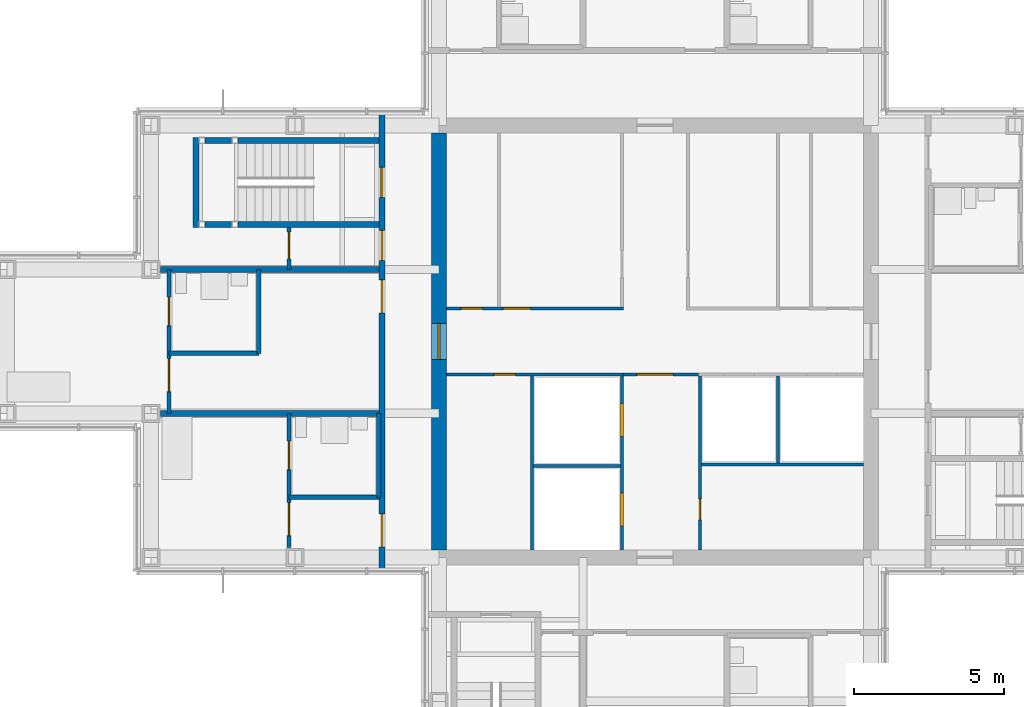
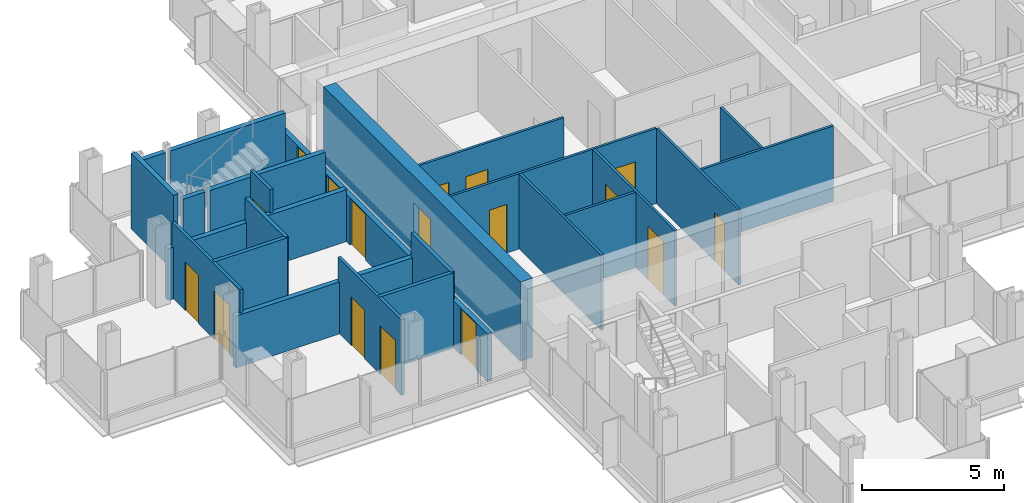
# One storey, part 12 of 17: 25 walls, 17 doors, 17 openings.
"""IFC4 building model written with IfcOpenShell, lengths in metres."""

from ifc_helpers import new_model, si_unit, direction, frame, frame_2d, origin, place, context, subcontext, project, spatial, rectangle, extrude, material, layer, layer_set, type_object, element, fill, save


model = new_model("IFC4")

# Units and contexts
model_context = context("Model", 3, precision=1e-05, world=origin(), true_north=direction((0.0, 1.0)))
body_context = subcontext(model_context, "Body", "Model", "MODEL_VIEW")
ifc_project = project(units=[si_unit("LENGTHUNIT", "METRE"), si_unit("AREAUNIT", "SQUARE_METRE"), si_unit("VOLUMEUNIT", "CUBIC_METRE"), si_unit("PLANEANGLEUNIT", "RADIAN"), si_unit("MASSUNIT", "GRAM", prefix="KILO")], contexts=[model_context])

# Site, building, storey
site_placement = place(None, origin())
site = spatial("IfcSite", under=ifc_project, at=site_placement, CompositionType="ELEMENT")
building_placement = place(site_placement, origin())
building = spatial("IfcBuilding", under=site, at=building_placement, Name="Kvirike Care Tower", CompositionType="ELEMENT")
storey_placement = place(building_placement, frame((0.0, 0.0, 186.5)))
storey = spatial("IfcBuildingStorey", under=building, at=storey_placement, Name="L51", CompositionType="ELEMENT", Elevation=186.5)

# Walls
ifc_material_1 = material(Name="Moisture-resistant board partition", Category="gypsum")
ifc_layer_1 = layer(ifc_material_1, 0.14990234375)
ifc_layer_set_1 = layer_set([ifc_layer_1], Name="BATHROOM WALL 150")
wall_type_1 = type_object("IfcWallType", Name="BATHROOM WALL 150", PredefinedType="PARTITIONING", material=ifc_layer_set_1)
wall_1_placement = place(storey_placement, frame((5.39990234375, 35.60009765625, 0.0), z_axis=(0.0, 0.0, 1.0), x_axis=(1.0, 0.0, 0.0)))
element("IfcWall", 1, at=wall_1_placement, inside=storey, type_object=wall_type_1, Name="Bathroom Wall 150 L51", PredefinedType="PARTITIONING", context=body_context, shape_type="SweptSolid", body=[
    extrude(rectangle(XDim=3.0, YDim=0.14990234375, at=frame_2d((1.5, 0.0))), origin(), (0.0, 0.0, 1.0), 3.25),
])
wall_2_placement = place(storey_placement, frame((8.39990234375, 38.39990234375, 0.0), z_axis=(0.0, 0.0, 1.0), x_axis=(0.0, -1.0, 0.0)))
element("IfcWall", 2, at=wall_2_placement, inside=storey, type_object=wall_type_1, Name="Bathroom Wall 150 L51", PredefinedType="PARTITIONING", context=body_context, shape_type="SweptSolid", body=[
    extrude(rectangle(XDim=2.7998046875, YDim=0.14990234375, at=frame_2d((1.39990234375, 0.0))), origin(), (0.0, 0.0, 1.0), 3.25),
])
wall_3_placement = place(storey_placement, frame((9.39990234375, 30.800048828125, 0.0), z_axis=(0.0, 0.0, 1.0), x_axis=(1.0, 0.0, 0.0)))
element("IfcWall", 3, at=wall_3_placement, inside=storey, type_object=wall_type_1, Name="Bathroom Wall 150 L51", PredefinedType="PARTITIONING", context=body_context, shape_type="SweptSolid", body=[
    extrude(rectangle(XDim=3.0, YDim=0.14990234375, at=frame_2d((1.5, 0.0))), origin(), (0.0, 0.0, 1.0), 3.25),
])
wall_4_placement = place(storey_placement, frame((12.39990234375, 33.60009765625, 0.0), z_axis=(0.0, 0.0, 1.0), x_axis=(0.0, -1.0, 0.0)))
element("IfcWall", 4, at=wall_4_placement, inside=storey, type_object=wall_type_1, Name="Bathroom Wall 150 L51", PredefinedType="PARTITIONING", context=body_context, shape_type="SweptSolid", body=[
    extrude(rectangle(XDim=2.800048828125, YDim=0.14990234375, at=frame_2d((1.39990234375, 0.0))), origin(), (0.0, 0.0, 1.0), 3.25),
])

# Wall, opening, door
ifc_material_2 = material(Name="Concrete C45/55", Category="concrete")
ifc_layer_2 = layer(ifc_material_2, 0.5)
ifc_layer_set_2 = layer_set([ifc_layer_2], Name="CORE WALL 500 C45-55")
wall_type_2 = type_object("IfcWallType", Name="CORE WALL 500 C45-55", PredefinedType="SHEAR", material=ifc_layer_set_2)
wall_5_placement = place(storey_placement, frame((14.39990234375, 42.949951171875, -0.169921875), z_axis=(0.0, 0.0, 1.0), x_axis=(0.0, -1.0, 0.0)))
wall_5 = element("IfcWall", 5, at=wall_5_placement, inside=storey, type_object=wall_type_2, Name="Core wall W L51", PredefinedType="SHEAR", context=body_context, shape_type="SweptSolid", body=[
    extrude(rectangle(XDim=13.89990234375, YDim=0.5, at=frame_2d((6.949951171875, 0.0))), origin(), (0.0, 0.0, 1.0), 3.419921875),
])
opening_1_placement = place(wall_5_placement, frame((6.35009765625, 0.0, 0.169921875)))
opening_1 = element("IfcOpeningElement", 6, at=opening_1_placement, cuts=wall_5, Name="Opening 51-051", PredefinedType="OPENING", context=body_context, shape_type="SweptSolid", body=[
    extrude(rectangle(XDim=1.199951171875, YDim=2.10009765625, at=frame_2d((0.60009765625, 1.050048828125))), frame((0.0, 0.260498046875, 0.0), z_axis=(0.0, -1.0, 0.0), x_axis=(1.0, 0.0, 0.0)), (0.0, 0.0, 1.0), 0.52099609375),
])
ifc_material_3 = material(Name="Timber door set", Category="wood")
door_type_1 = type_object("IfcDoorType", Name="CORE DOOR 1200", OperationType="SINGLE_SWING_LEFT", PredefinedType="DOOR", material=ifc_material_3)
door_1_placement = place(opening_1_placement, origin())
door_1 = element("IfcDoor", 7, at=door_1_placement, inside=storey, type_object=door_type_1, Name="Core door W L51", OperationType="SINGLE_SWING_LEFT", OverallHeight=2.10009765625, OverallWidth=1.199951171875, PredefinedType="DOOR", context=body_context, shape_type="SweptSolid", body=[
    extrude(rectangle(XDim=1.199951171875, YDim=2.10009765625, at=frame_2d((0.60009765625, 1.050048828125))), frame((0.0, 0.02685546875, 0.0), z_axis=(0.0, -1.0, 0.0), x_axis=(1.0, 0.0, 0.0)), (0.0, 0.0, 1.0), 0.053955078125),
])
fill(opening_1, door_1)

# Wall, openings, doors
ifc_material_4 = material(Name="Plasterboard corridor wall", Category="gypsum")
ifc_layer_3 = layer(ifc_material_4, 0.199951171875)
ifc_layer_set_3 = layer_set([ifc_layer_3], Name="CORRIDOR WALL 200")
wall_type_3 = type_object("IfcWallType", Name="CORRIDOR WALL 200", PredefinedType="PARTITIONING", material=ifc_layer_set_3)
wall_6_placement = place(storey_placement, frame((12.5, 43.64990234375, 0.0), z_axis=(0.0, 0.0, 1.0), x_axis=(0.0, -1.0, 0.0)))
wall_6 = element("IfcWall", 8, at=wall_6_placement, inside=storey, type_object=wall_type_3, Name="Corridor Wall 200 L51", PredefinedType="PARTITIONING", context=body_context, shape_type="SweptSolid", body=[
    extrude(rectangle(XDim=15.2998046875, YDim=0.199951171875, at=frame_2d((7.64990234375, 0.0))), origin(), (0.0, 0.0, 1.0), 2.0400390625),
])
opening_2_placement = place(wall_6_placement, frame((1.85009765625, 0.0, 0.0)))
opening_2 = element("IfcOpeningElement", 9, at=opening_2_placement, cuts=wall_6, Name="Opening 51-006", PredefinedType="OPENING", context=body_context, shape_type="SweptSolid", body=[
    extrude(rectangle(XDim=1.0, YDim=2.0, at=frame_2d((0.5, 1.0))), frame((0.0, 0.110595703125, 0.0), z_axis=(0.0, -1.0, 0.0), x_axis=(1.0, 0.0, 0.0)), (0.0, 0.0, 1.0), 0.220947265625),
])
opening_3_placement = place(wall_6_placement, frame((3.949951171875, 0.0, 0.0)))
opening_3 = element("IfcOpeningElement", 10, at=opening_3_placement, cuts=wall_6, Name="Opening 51-007", PredefinedType="OPENING", context=body_context, shape_type="SweptSolid", body=[
    extrude(rectangle(XDim=1.0, YDim=2.0, at=frame_2d((0.5, 1.0))), frame((0.0, 0.110595703125, 0.0), z_axis=(0.0, -1.0, 0.0), x_axis=(1.0, 0.0, 0.0)), (0.0, 0.0, 1.0), 0.220947265625),
])
opening_4_placement = place(wall_6_placement, frame((5.60009765625, 0.0, 0.0)))
opening_4 = element("IfcOpeningElement", 11, at=opening_4_placement, cuts=wall_6, Name="Opening 51-008", PredefinedType="OPENING", context=body_context, shape_type="SweptSolid", body=[
    extrude(rectangle(XDim=1.10009765625, YDim=2.0, at=frame_2d((0.550048828125, 1.0))), frame((0.0, 0.110595703125, 0.0), z_axis=(0.0, -1.0, 0.0), x_axis=(1.0, 0.0, 0.0)), (0.0, 0.0, 1.0), 0.220947265625),
])
opening_5_placement = place(wall_6_placement, frame((13.39990234375, 0.0, 0.0)))
opening_5 = element("IfcOpeningElement", 12, at=opening_5_placement, cuts=wall_6, Name="Opening 51-009", PredefinedType="OPENING", context=body_context, shape_type="SweptSolid", body=[
    extrude(rectangle(XDim=1.10009765625, YDim=2.0, at=frame_2d((0.550048828125, 1.0))), frame((0.0, 0.110595703125, 0.0), z_axis=(0.0, -1.0, 0.0), x_axis=(1.0, 0.0, 0.0)), (0.0, 0.0, 1.0), 0.220947265625),
])
ifc_material_5 = material(Name="Timber door set", Category="wood")
door_type_2 = type_object("IfcDoorType", Name="BEDROOM ENTRANCE DOOR 1100 x 2000", OperationType="SINGLE_SWING_LEFT", PredefinedType="DOOR", material=ifc_material_5)
door_2_placement = place(opening_4_placement, frame((1.10009765625, 0.0, 0.0), z_axis=(0.0, 0.0, 1.0), x_axis=(-1.0, 0.0, 0.0)))
door_2 = element("IfcDoor", 13, at=door_2_placement, inside=storey, type_object=door_type_2, Name="Memory care bedroom entrance", OperationType="SINGLE_SWING_LEFT", OverallHeight=2.0, OverallWidth=1.10009765625, PredefinedType="DOOR", context=body_context, shape_type="SweptSolid", body=[
    extrude(rectangle(XDim=1.10009765625, YDim=2.0, at=frame_2d((0.550048828125, 1.0))), frame((0.0, 0.02685546875, 0.0), z_axis=(0.0, -1.0, 0.0), x_axis=(1.0, 0.0, 0.0)), (0.0, 0.0, 1.0), 0.053955078125),
])
fill(opening_4, door_2)
door_3_placement = place(opening_5_placement, frame((1.10009765625, 0.0, 0.0), z_axis=(0.0, 0.0, 1.0), x_axis=(-1.0, 0.0, 0.0)))
door_3 = element("IfcDoor", 14, at=door_3_placement, inside=storey, type_object=door_type_2, Name="Memory care bedroom entrance", OperationType="SINGLE_SWING_RIGHT", OverallHeight=2.0, OverallWidth=1.10009765625, PredefinedType="DOOR", context=body_context, shape_type="SweptSolid", body=[
    extrude(rectangle(XDim=1.10009765625, YDim=2.0, at=frame_2d((0.550048828125, 1.0))), frame((0.0, 0.02685546875, 0.0), z_axis=(0.0, -1.0, 0.0), x_axis=(1.0, 0.0, 0.0)), (0.0, 0.0, 1.0), 0.053955078125),
])
fill(opening_5, door_3)
ifc_material_6 = material(Name="Timber door set", Category="wood")
door_type_3 = type_object("IfcDoorType", Name="FLAT ENTRANCE DOOR 1000 x 2000", OperationType="SINGLE_SWING_LEFT", PredefinedType="DOOR", material=ifc_material_6)
door_4_placement = place(opening_3_placement, frame((1.0, 0.0, 0.0), z_axis=(0.0, 0.0, 1.0), x_axis=(-1.0, 0.0, 0.0)))
door_4 = element("IfcDoor", 15, at=door_4_placement, inside=storey, type_object=door_type_3, Name="Activity room entrance", OperationType="SINGLE_SWING_LEFT", OverallHeight=2.0, OverallWidth=1.0, PredefinedType="DOOR", context=body_context, shape_type="SweptSolid", body=[
    extrude(rectangle(XDim=1.0, YDim=2.0, at=frame_2d((0.5, 1.0))), frame((0.0, 0.02685546875, 0.0), z_axis=(0.0, -1.0, 0.0), x_axis=(1.0, 0.0, 0.0)), (0.0, 0.0, 1.0), 0.053955078125),
])
fill(opening_3, door_4)
ifc_material_7 = material(Name="Timber door set", Category="wood")
door_type_4 = type_object("IfcDoorType", Name="STAIR DOOR 1000 x 2000", OperationType="SINGLE_SWING_LEFT", PredefinedType="DOOR", material=ifc_material_7)
door_5_placement = place(opening_2_placement, frame((1.0, 0.0, 0.0), z_axis=(0.0, 0.0, 1.0), x_axis=(-1.0, 0.0, 0.0)))
door_5 = element("IfcDoor", 16, at=door_5_placement, inside=storey, type_object=door_type_4, Name="Stair 1 door", OperationType="SINGLE_SWING_LEFT", OverallHeight=2.0, OverallWidth=1.0, PredefinedType="DOOR", context=body_context, shape_type="SweptSolid", body=[
    extrude(rectangle(XDim=1.0, YDim=2.0, at=frame_2d((0.5, 1.0))), frame((0.0, 0.031982421875, 0.0), z_axis=(0.0, -1.0, 0.0), x_axis=(1.0, 0.0, 0.0)), (0.0, 0.0, 1.0), 0.06396484375),
])
fill(opening_2, door_5)

# Wall, opening, door
ifc_material_8 = material(Name="Plasterboard partition", Category="gypsum")
ifc_layer_4 = layer(ifc_material_8, 0.1201171875)
ifc_layer_set_4 = layer_set([ifc_layer_4], Name="PARTITION 120")
wall_type_4 = type_object("IfcWallType", Name="PARTITION 120", PredefinedType="PARTITIONING", material=ifc_layer_set_4)
wall_7_placement = place(storey_placement, frame((9.39990234375, 39.800048828125, 0.0), z_axis=(0.0, 0.0, 1.0), x_axis=(0.0, -1.0, 0.0)))
wall_7 = element("IfcWall", 17, at=wall_7_placement, inside=storey, type_object=wall_type_4, Name="Partition 120 L51", PredefinedType="PARTITIONING", context=body_context, shape_type="SweptSolid", body=[
    extrude(rectangle(XDim=1.400146484375, YDim=0.1201171875, at=frame_2d((0.7001953125, 0.0))), origin(), (0.0, 0.0, 1.0), 3.25),
])
opening_6_placement = place(wall_7_placement, frame((0.14990234375, 0.0, 0.0)))
opening_6 = element("IfcOpeningElement", 18, at=opening_6_placement, cuts=wall_7, Name="Opening 51-001", PredefinedType="OPENING", context=body_context, shape_type="SweptSolid", body=[
    extrude(rectangle(XDim=0.89990234375, YDim=2.10009765625, at=frame_2d((0.449951171875, 1.050048828125))), frame((0.0, 0.070556640625, 0.0), z_axis=(0.0, -1.0, 0.0), x_axis=(1.0, 0.0, 0.0)), (0.0, 0.0, 1.0), 0.14111328125),
])
ifc_material_9 = material(Name="Timber door set", Category="wood")
door_type_5 = type_object("IfcDoorType", Name="INTERNAL DOOR 900", OperationType="SINGLE_SWING_LEFT", PredefinedType="DOOR", material=ifc_material_9)
door_6_placement = place(opening_6_placement, origin())
door_6 = element("IfcDoor", 19, at=door_6_placement, inside=storey, type_object=door_type_5, Name="Activity room door", OperationType="SINGLE_SWING_RIGHT", OverallHeight=2.10009765625, OverallWidth=0.89990234375, PredefinedType="DOOR", context=body_context, shape_type="SweptSolid", body=[
    extrude(rectangle(XDim=0.89990234375, YDim=2.10009765625, at=frame_2d((0.449951171875, 1.050048828125))), frame((0.0, 0.02197265625, 0.0), z_axis=(0.0, -1.0, 0.0), x_axis=(1.0, 0.0, 0.0)), (0.0, 0.0, 1.0), 0.0439453125),
])
fill(opening_6, door_6)

# Wall, openings, doors
wall_8_placement = place(storey_placement, frame((5.39990234375, 38.39990234375, 0.0), z_axis=(0.0, 0.0, 1.0), x_axis=(0.0, -1.0, 0.0)))
wall_8 = element("IfcWall", 20, at=wall_8_placement, inside=storey, type_object=wall_type_4, Name="Partition 120 L51", PredefinedType="PARTITIONING", context=body_context, shape_type="SweptSolid", body=[
    extrude(rectangle(XDim=4.7998046875, YDim=0.1201171875, at=frame_2d((2.39990234375, 0.0))), origin(), (0.0, 0.0, 1.0), 3.25),
])
opening_7_placement = place(wall_8_placement, frame((2.97509765625, 0.0, 0.0)))
opening_7 = element("IfcOpeningElement", 21, at=opening_7_placement, cuts=wall_8, Name="Opening 51-002", PredefinedType="OPENING", context=body_context, shape_type="SweptSolid", body=[
    extrude(rectangle(XDim=1.10009765625, YDim=2.10009765625, at=frame_2d((0.550048828125, 1.050048828125))), frame((0.0, 0.070556640625, 0.0), z_axis=(0.0, -1.0, 0.0), x_axis=(1.0, 0.0, 0.0)), (0.0, 0.0, 1.0), 0.14111328125),
])
opening_8_placement = place(wall_8_placement, frame((0.925048828125, 0.0, 0.0)))
opening_8 = element("IfcOpeningElement", 22, at=opening_8_placement, cuts=wall_8, Name="Opening 51-003", PredefinedType="OPENING", context=body_context, shape_type="SweptSolid", body=[
    extrude(rectangle(XDim=0.949951171875, YDim=2.10009765625, at=frame_2d((0.47509765625, 1.050048828125))), frame((0.0, 0.070556640625, 0.0), z_axis=(0.0, -1.0, 0.0), x_axis=(1.0, 0.0, 0.0)), (0.0, 0.0, 1.0), 0.14111328125),
])
ifc_material_10 = material(Name="Timber door set", Category="wood")
door_type_6 = type_object("IfcDoorType", Name="BEDROOM DOOR 1100", OperationType="SINGLE_SWING_LEFT", PredefinedType="DOOR", material=ifc_material_10)
door_7_placement = place(opening_7_placement, origin())
door_7 = element("IfcDoor", 23, at=door_7_placement, inside=storey, type_object=door_type_6, Name="Memory care bedroom door", OperationType="SINGLE_SWING_RIGHT", OverallHeight=2.10009765625, OverallWidth=1.10009765625, PredefinedType="DOOR", context=body_context, shape_type="SweptSolid", body=[
    extrude(rectangle(XDim=1.10009765625, YDim=2.10009765625, at=frame_2d((0.550048828125, 1.050048828125))), frame((0.0, 0.02197265625, 0.0), z_axis=(0.0, -1.0, 0.0), x_axis=(1.0, 0.0, 0.0)), (0.0, 0.0, 1.0), 0.0439453125),
])
fill(opening_7, door_7)
ifc_material_11 = material(Name="Timber door set", Category="wood")
door_type_7 = type_object("IfcDoorType", Name="EN-SUITE SLIDING DOOR 950", OperationType="SLIDING_TO_LEFT", PredefinedType="DOOR", material=ifc_material_11)
door_8_placement = place(opening_8_placement, origin())
door_8 = element("IfcDoor", 24, at=door_8_placement, inside=storey, type_object=door_type_7, Name="En-suite door", OperationType="SLIDING_TO_RIGHT", OverallHeight=2.10009765625, OverallWidth=0.949951171875, PredefinedType="DOOR", context=body_context, shape_type="SweptSolid", body=[
    extrude(rectangle(XDim=0.949951171875, YDim=2.10009765625, at=frame_2d((0.47509765625, 1.050048828125))), frame((0.0, 0.02197265625, 0.0), z_axis=(0.0, -1.0, 0.0), x_axis=(1.0, 0.0, 0.0)), (0.0, 0.0, 1.0), 0.0439453125),
])
fill(opening_8, door_8)

wall_9_placement = place(storey_placement, frame((9.39990234375, 33.60009765625, 0.0), z_axis=(0.0, 0.0, 1.0), x_axis=(0.0, -1.0, 0.0)))
wall_9 = element("IfcWall", 25, at=wall_9_placement, inside=storey, type_object=wall_type_4, Name="Partition 120 L51", PredefinedType="PARTITIONING", context=body_context, shape_type="SweptSolid", body=[
    extrude(rectangle(XDim=4.47998046875, YDim=0.1201171875, at=frame_2d((2.239990234375, 0.0))), origin(), (0.0, 0.0, 1.0), 3.25),
])
opening_9_placement = place(wall_9_placement, frame((2.97509765625, 0.0, 0.0)))
opening_9 = element("IfcOpeningElement", 26, at=opening_9_placement, cuts=wall_9, Name="Opening 51-004", PredefinedType="OPENING", context=body_context, shape_type="SweptSolid", body=[
    extrude(rectangle(XDim=1.10009765625, YDim=2.10009765625, at=frame_2d((0.550048828125, 1.050048828125))), frame((0.0, 0.070556640625, 0.0), z_axis=(0.0, -1.0, 0.0), x_axis=(1.0, 0.0, 0.0)), (0.0, 0.0, 1.0), 0.14111328125),
])
opening_10_placement = place(wall_9_placement, frame((0.925048828125, 0.0, 0.0)))
opening_10 = element("IfcOpeningElement", 27, at=opening_10_placement, cuts=wall_9, Name="Opening 51-005", PredefinedType="OPENING", context=body_context, shape_type="SweptSolid", body=[
    extrude(rectangle(XDim=0.949951171875, YDim=2.10009765625, at=frame_2d((0.47509765625, 1.050048828125))), frame((0.0, 0.070556640625, 0.0), z_axis=(0.0, -1.0, 0.0), x_axis=(1.0, 0.0, 0.0)), (0.0, 0.0, 1.0), 0.14111328125),
])
door_9_placement = place(opening_9_placement, origin())
door_9 = element("IfcDoor", 28, at=door_9_placement, inside=storey, type_object=door_type_6, Name="Memory care bedroom door", OperationType="SINGLE_SWING_RIGHT", OverallHeight=2.10009765625, OverallWidth=1.10009765625, PredefinedType="DOOR", context=body_context, shape_type="SweptSolid", body=[
    extrude(rectangle(XDim=1.10009765625, YDim=2.10009765625, at=frame_2d((0.550048828125, 1.050048828125))), frame((0.0, 0.02197265625, 0.0), z_axis=(0.0, -1.0, 0.0), x_axis=(1.0, 0.0, 0.0)), (0.0, 0.0, 1.0), 0.0439453125),
])
fill(opening_9, door_9)
door_10_placement = place(opening_10_placement, origin())
door_10 = element("IfcDoor", 29, at=door_10_placement, inside=storey, type_object=door_type_7, Name="En-suite door", OperationType="SLIDING_TO_RIGHT", OverallHeight=2.10009765625, OverallWidth=0.949951171875, PredefinedType="DOOR", context=body_context, shape_type="SweptSolid", body=[
    extrude(rectangle(XDim=0.949951171875, YDim=2.10009765625, at=frame_2d((0.47509765625, 1.050048828125))), frame((0.0, 0.02197265625, 0.0), z_axis=(0.0, -1.0, 0.0), x_axis=(1.0, 0.0, 0.0)), (0.0, 0.0, 1.0), 0.0439453125),
])
fill(opening_10, door_10)

# Walls
ifc_material_12 = material(Name="Plasterboard party wall", Category="gypsum")
ifc_layer_5 = layer(ifc_material_12, 0.199951171875)
ifc_layer_set_5 = layer_set([ifc_layer_5], Name="PARTY WALL 200")
wall_type_5 = type_object("IfcWallType", Name="PARTY WALL 200", PredefinedType="PARTITIONING", material=ifc_layer_set_5)
for number, where, z_axis, x_axis, name in (
    (30, (5.1201171875, 38.39990234375, 0.0), (0.0, 0.0, 1.0), (1.0, 0.0, 0.0), "Party Wall 200 L51"),
    (31, (5.1201171875, 33.60009765625, 0.0), (0.0, 0.0, 1.0), (1.0, 0.0, 0.0), "Party Wall 200 L51"),
):
    element("IfcWall", number, at=place(storey_placement, frame(where, z_axis=z_axis, x_axis=x_axis)), inside=storey, type_object=wall_type_5, Name=name, PredefinedType="PARTITIONING", context=body_context, shape_type="SweptSolid", body=[
        extrude(rectangle(XDim=7.27978515625, YDim=0.199951171875, at=frame_2d((3.639892578125, 0.0))), origin(), (0.0, 0.0, 1.0), 2.239990234375),
    ])

# Wall, openings, doors
ifc_material_13 = material(Name="Gypsum shaft wall system", Category="gypsum")
ifc_layer_6 = layer(ifc_material_13, 0.10009765625)
ifc_layer_set_6 = layer_set([ifc_layer_6], Name="SHAFT WALL 100")
wall_type_6 = type_object("IfcWallType", Name="SHAFT WALL 100", PredefinedType="SOLIDWALL", material=ifc_layer_set_6)
wall_10_placement = place(storey_placement, frame((20.5, 29.050048828125, 0.0), z_axis=(0.0, 0.0, 1.0), x_axis=(0.0, 1.0, 0.0)))
wall_10 = element("IfcWall", 32, at=wall_10_placement, inside=storey, type_object=wall_type_6, Name="Shaft Wall 100 L51", PredefinedType="SOLIDWALL", context=body_context, shape_type="SweptSolid", body=[
    extrude(rectangle(XDim=5.800048828125, YDim=0.10009765625, at=frame_2d((2.89990234375, 0.0))), origin(), (0.0, 0.0, 1.0), 3.25),
])
opening_11_placement = place(wall_10_placement, frame((0.800048828125, 0.0, 0.0)))
opening_11 = element("IfcOpeningElement", 33, at=opening_11_placement, cuts=wall_10, Name="Opening 51-037", PredefinedType="OPENING", context=body_context, shape_type="SweptSolid", body=[
    extrude(rectangle(XDim=1.10009765625, YDim=2.300048828125, at=frame_2d((0.550048828125, 1.14990234375))), frame((0.0, 0.060546875, 0.0), z_axis=(0.0, -1.0, 0.0), x_axis=(1.0, 0.0, 0.0)), (0.0, 0.0, 1.0), 0.12109375),
])
opening_12_placement = place(wall_10_placement, frame((3.77490234375, 0.0, 0.0)))
opening_12 = element("IfcOpeningElement", 34, at=opening_12_placement, cuts=wall_10, Name="Opening 51-038", PredefinedType="OPENING", context=body_context, shape_type="SweptSolid", body=[
    extrude(rectangle(XDim=1.10009765625, YDim=2.300048828125, at=frame_2d((0.550048828125, 1.14990234375))), frame((0.0, 0.060546875, 0.0), z_axis=(0.0, -1.0, 0.0), x_axis=(1.0, 0.0, 0.0)), (0.0, 0.0, 1.0), 0.12109375),
])
ifc_material_14 = material(Name="Aluminium door frame", Category="aluminium")
door_type_8 = type_object("IfcDoorType", Name="FIRE-FIGHTING LIFT LANDING DOOR 1100", OperationType="SLIDING_TO_LEFT", PredefinedType="DOOR", material=ifc_material_14)
door_11_placement = place(opening_11_placement, origin())
door_11 = element("IfcDoor", 35, at=door_11_placement, inside=storey, type_object=door_type_8, Name="Lift FF1 landing door", OperationType="SLIDING_TO_LEFT", OverallHeight=2.300048828125, OverallWidth=1.10009765625, PredefinedType="DOOR", context=body_context, shape_type="SweptSolid", body=[
    extrude(rectangle(XDim=1.10009765625, YDim=2.300048828125, at=frame_2d((0.550048828125, 1.14990234375))), frame((0.0, 0.0498046875, 0.0), z_axis=(0.0, -1.0, 0.0), x_axis=(1.0, 0.0, 0.0)), (0.0, 0.0, 1.0), 0.099609375),
])
fill(opening_11, door_11)
door_12_placement = place(opening_12_placement, origin())
door_12 = element("IfcDoor", 36, at=door_12_placement, inside=storey, type_object=door_type_8, Name="Lift FF2 landing door", OperationType="SLIDING_TO_LEFT", OverallHeight=2.300048828125, OverallWidth=1.10009765625, PredefinedType="DOOR", context=body_context, shape_type="SweptSolid", body=[
    extrude(rectangle(XDim=1.10009765625, YDim=2.300048828125, at=frame_2d((0.550048828125, 1.14990234375))), frame((0.0, 0.0498046875, 0.0), z_axis=(0.0, -1.0, 0.0), x_axis=(1.0, 0.0, 0.0)), (0.0, 0.0, 1.0), 0.099609375),
])
fill(opening_12, door_12)

# Wall, opening, door
wall_11_placement = place(storey_placement, frame((23.10009765625, 29.050048828125, 0.0), z_axis=(0.0, 0.0, 1.0), x_axis=(0.0, 1.0, 0.0)))
wall_11 = element("IfcWall", 37, at=wall_11_placement, inside=storey, type_object=wall_type_6, Name="Shaft Wall 100 L51", PredefinedType="SOLIDWALL", context=body_context, shape_type="SweptSolid", body=[
    extrude(rectangle(XDim=5.800048828125, YDim=0.10009765625, at=frame_2d((2.89990234375, 0.0))), origin(), (0.0, 0.0, 1.0), 3.25),
])
opening_13_placement = place(wall_11_placement, frame((1.0, 0.0, 0.0)))
opening_13 = element("IfcOpeningElement", 38, at=opening_13_placement, cuts=wall_11, Name="Opening 51-041", PredefinedType="OPENING", context=body_context, shape_type="SweptSolid", body=[
    extrude(rectangle(XDim=0.699951171875, YDim=2.10009765625, at=frame_2d((0.35009765625, 1.050048828125))), frame((0.0, 0.060546875, 0.0), z_axis=(0.0, -1.0, 0.0), x_axis=(1.0, 0.0, 0.0)), (0.0, 0.0, 1.0), 0.12109375),
])
ifc_material_15 = material(Name="Timber door set", Category="wood")
door_type_9 = type_object("IfcDoorType", Name="RISER DOOR 700", OperationType="SINGLE_SWING_LEFT", PredefinedType="DOOR", material=ifc_material_15)
door_13_placement = place(opening_13_placement, origin())
door_13 = element("IfcDoor", 39, at=door_13_placement, inside=storey, type_object=door_type_9, Name="Riser door", OperationType="SINGLE_SWING_RIGHT", OverallHeight=2.10009765625, OverallWidth=0.699951171875, PredefinedType="DOOR", context=body_context, shape_type="SweptSolid", body=[
    extrude(rectangle(XDim=0.699951171875, YDim=2.10009765625, at=frame_2d((0.35009765625, 1.050048828125))), frame((0.0, 0.02685546875, 0.0), z_axis=(0.0, -1.0, 0.0), x_axis=(1.0, 0.0, 0.0)), (0.0, 0.0, 1.0), 0.053955078125),
])
fill(opening_13, door_13)

wall_12_placement = place(storey_placement, frame((14.64990234375, 34.89990234375, 0.0), z_axis=(0.0, 0.0, 1.0), x_axis=(1.0, 0.0, 0.0)))
wall_12 = element("IfcWall", 40, at=wall_12_placement, inside=storey, type_object=wall_type_6, Name="Shaft Wall 100 L51", PredefinedType="SOLIDWALL", context=body_context, shape_type="SweptSolid", body=[
    extrude(rectangle(XDim=5.900146484375, YDim=0.10009765625, at=frame_2d((2.9501953125, 0.0))), origin(), (0.0, 0.0, 1.0), 3.25),
])
opening_14_placement = place(wall_12_placement, frame((1.60009765625, 0.0, 0.0)))
opening_14 = element("IfcOpeningElement", 41, at=opening_14_placement, cuts=wall_12, Name="Opening 51-042", PredefinedType="OPENING", context=body_context, shape_type="SweptSolid", body=[
    extrude(rectangle(XDim=0.699951171875, YDim=2.10009765625, at=frame_2d((0.35009765625, 1.050048828125))), frame((0.0, 0.060546875, 0.0), z_axis=(0.0, -1.0, 0.0), x_axis=(1.0, 0.0, 0.0)), (0.0, 0.0, 1.0), 0.12109375),
])
door_14_placement = place(opening_14_placement, frame((0.699951171875, 0.0, 0.0), z_axis=(0.0, 0.0, 1.0), x_axis=(-1.0, 0.0, 0.0)))
door_14 = element("IfcDoor", 42, at=door_14_placement, inside=storey, type_object=door_type_9, Name="Riser door", OperationType="SINGLE_SWING_RIGHT", OverallHeight=2.10009765625, OverallWidth=0.699951171875, PredefinedType="DOOR", context=body_context, shape_type="SweptSolid", body=[
    extrude(rectangle(XDim=0.699951171875, YDim=2.10009765625, at=frame_2d((0.35009765625, 1.050048828125))), frame((0.0, 0.02685546875, 0.0), z_axis=(0.0, -1.0, 0.0), x_axis=(1.0, 0.0, 0.0)), (0.0, 0.0, 1.0), 0.053955078125),
])
fill(opening_14, door_14)

# Wall, openings, doors
wall_13_placement = place(storey_placement, frame((14.64990234375, 37.10009765625, 0.0), z_axis=(0.0, 0.0, 1.0), x_axis=(1.0, 0.0, 0.0)))
wall_13 = element("IfcWall", 43, at=wall_13_placement, inside=storey, type_object=wall_type_6, Name="Shaft Wall 100 L51", PredefinedType="SOLIDWALL", context=body_context, shape_type="SweptSolid", body=[
    extrude(rectangle(XDim=5.900146484375, YDim=0.10009765625, at=frame_2d((2.9501953125, 0.0))), origin(), (0.0, 0.0, 1.0), 3.25),
])
opening_15_placement = place(wall_13_placement, frame((0.5, 0.0, 0.0)))
opening_15 = element("IfcOpeningElement", 44, at=opening_15_placement, cuts=wall_13, Name="Opening 51-045", PredefinedType="OPENING", context=body_context, shape_type="SweptSolid", body=[
    extrude(rectangle(XDim=0.699951171875, YDim=2.10009765625, at=frame_2d((0.35009765625, 1.050048828125))), frame((0.0, 0.060546875, 0.0), z_axis=(0.0, -1.0, 0.0), x_axis=(1.0, 0.0, 0.0)), (0.0, 0.0, 1.0), 0.12109375),
])
opening_16_placement = place(wall_13_placement, frame((1.89990234375, 0.0, 0.0)))
opening_16 = element("IfcOpeningElement", 45, at=opening_16_placement, cuts=wall_13, Name="Opening 51-046", PredefinedType="OPENING", context=body_context, shape_type="SweptSolid", body=[
    extrude(rectangle(XDim=0.89990234375, YDim=2.10009765625, at=frame_2d((0.449951171875, 1.050048828125))), frame((0.0, 0.060546875, 0.0), z_axis=(0.0, -1.0, 0.0), x_axis=(1.0, 0.0, 0.0)), (0.0, 0.0, 1.0), 0.12109375),
])
door_15_placement = place(opening_15_placement, origin())
door_15 = element("IfcDoor", 46, at=door_15_placement, inside=storey, type_object=door_type_9, Name="Riser door", OperationType="SINGLE_SWING_RIGHT", OverallHeight=2.10009765625, OverallWidth=0.699951171875, PredefinedType="DOOR", context=body_context, shape_type="SweptSolid", body=[
    extrude(rectangle(XDim=0.699951171875, YDim=2.10009765625, at=frame_2d((0.35009765625, 1.050048828125))), frame((0.0, 0.02685546875, 0.0), z_axis=(0.0, -1.0, 0.0), x_axis=(1.0, 0.0, 0.0)), (0.0, 0.0, 1.0), 0.053955078125),
])
fill(opening_15, door_15)
ifc_material_16 = material(Name="Timber door set", Category="wood")
door_type_10 = type_object("IfcDoorType", Name="STORE DOOR 900", OperationType="SINGLE_SWING_LEFT", PredefinedType="DOOR", material=ifc_material_16)
door_16_placement = place(opening_16_placement, origin())
door_16 = element("IfcDoor", 47, at=door_16_placement, inside=storey, type_object=door_type_10, Name="Housekeeping office door", OperationType="SINGLE_SWING_RIGHT", OverallHeight=2.10009765625, OverallWidth=0.89990234375, PredefinedType="DOOR", context=body_context, shape_type="SweptSolid", body=[
    extrude(rectangle(XDim=0.89990234375, YDim=2.10009765625, at=frame_2d((0.449951171875, 1.050048828125))), frame((0.0, 0.02685546875, 0.0), z_axis=(0.0, -1.0, 0.0), x_axis=(1.0, 0.0, 0.0)), (0.0, 0.0, 1.0), 0.053955078125),
])
fill(opening_16, door_16)

# Wall, opening, door
wall_14_placement = place(storey_placement, frame((20.550048828125, 34.89990234375, 0.0), z_axis=(0.0, 0.0, 1.0), x_axis=(1.0, 0.0, 0.0)))
wall_14 = element("IfcWall", 48, at=wall_14_placement, inside=storey, type_object=wall_type_6, Name="Shaft Wall 100 L51", PredefinedType="SOLIDWALL", context=body_context, shape_type="SweptSolid", body=[
    extrude(rectangle(XDim=2.5, YDim=0.10009765625, at=frame_2d((1.25, 0.0))), origin(), (0.0, 0.0, 1.0), 3.25),
])
opening_17_placement = place(wall_14_placement, frame((0.449951171875, 0.0, 0.0)))
opening_17 = element("IfcOpeningElement", 49, at=opening_17_placement, cuts=wall_14, Name="Opening 51-049", PredefinedType="OPENING", context=body_context, shape_type="SweptSolid", body=[
    extrude(rectangle(XDim=1.199951171875, YDim=2.10009765625, at=frame_2d((0.60009765625, 1.050048828125))), frame((0.0, 0.060546875, 0.0), z_axis=(0.0, -1.0, 0.0), x_axis=(1.0, 0.0, 0.0)), (0.0, 0.0, 1.0), 0.12109375),
])
door_17_placement = place(opening_17_placement, frame((1.199951171875, 0.0, 0.0), z_axis=(0.0, 0.0, 1.0), x_axis=(-1.0, 0.0, 0.0)))
door_17 = element("IfcDoor", 50, at=door_17_placement, inside=storey, type_object=door_type_1, Name="Fire-fighting lobby door", OperationType="SINGLE_SWING_LEFT", OverallHeight=2.10009765625, OverallWidth=1.199951171875, PredefinedType="DOOR", context=body_context, shape_type="SweptSolid", body=[
    extrude(rectangle(XDim=1.199951171875, YDim=2.10009765625, at=frame_2d((0.60009765625, 1.050048828125))), frame((0.0, 0.02685546875, 0.0), z_axis=(0.0, -1.0, 0.0), x_axis=(1.0, 0.0, 0.0)), (0.0, 0.0, 1.0), 0.053955078125),
])
fill(opening_17, door_17)

# Walls
wall_15_placement = place(storey_placement, frame((17.5, 29.050048828125, 0.0), z_axis=(0.0, 0.0, 1.0), x_axis=(0.0, 1.0, 0.0)))
element("IfcWall", 51, at=wall_15_placement, inside=storey, type_object=wall_type_6, Name="Shaft Wall 100 L51", PredefinedType="SOLIDWALL", context=body_context, shape_type="SweptSolid", body=[
    extrude(rectangle(XDim=5.800048828125, YDim=0.10009765625, at=frame_2d((2.89990234375, 0.0))), origin(), (0.0, 0.0, 1.0), 3.25),
])
wall_16_placement = place(storey_placement, frame((17.550048828125, 31.85009765625, 0.0), z_axis=(0.0, 0.0, 1.0), x_axis=(1.0, 0.0, 0.0)))
element("IfcWall", 52, at=wall_16_placement, inside=storey, type_object=wall_type_6, Name="Shaft Wall 100 L51", PredefinedType="SOLIDWALL", context=body_context, shape_type="SweptSolid", body=[
    extrude(rectangle(XDim=2.89990234375, YDim=0.10009765625, at=frame_2d((1.449951171875, 0.0))), origin(), (0.0, 0.0, 1.0), 3.25),
])
wall_17_placement = place(storey_placement, frame((25.699951171875, 31.949951171875, 0.0), z_axis=(0.0, 0.0, 1.0), x_axis=(0.0, 1.0, 0.0)))
element("IfcWall", 53, at=wall_17_placement, inside=storey, type_object=wall_type_6, Name="Shaft Wall 100 L51", PredefinedType="SOLIDWALL", context=body_context, shape_type="SweptSolid", body=[
    extrude(rectangle(XDim=2.900146484375, YDim=0.10009765625, at=frame_2d((1.4501953125, 0.0))), origin(), (0.0, 0.0, 1.0), 3.25),
])
wall_18_placement = place(storey_placement, frame((23.14990234375, 31.89990234375, 0.0), z_axis=(0.0, 0.0, 1.0), x_axis=(1.0, 0.0, 0.0)))
element("IfcWall", 54, at=wall_18_placement, inside=storey, type_object=wall_type_6, Name="Shaft Wall 100 L51", PredefinedType="SOLIDWALL", context=body_context, shape_type="SweptSolid", body=[
    extrude(rectangle(XDim=5.400146484375, YDim=0.10009765625, at=frame_2d((2.7001953125, 0.0))), origin(), (0.0, 0.0, 1.0), 3.25),
])
ifc_material_17 = material(Name="Concrete C40/50", Category="concrete")
ifc_layer_7 = layer(ifc_material_17, 0.199951171875)
ifc_layer_set_7 = layer_set([ifc_layer_7], Name="STAIR WALL 200")
wall_type_7 = type_object("IfcWallType", Name="STAIR WALL 200", PredefinedType="SOLIDWALL", material=ifc_layer_set_7)
wall_19_placement = place(storey_placement, frame((6.60009765625, 42.699951171875, 0.0), z_axis=(0.0, 0.0, 1.0), x_axis=(1.0, 0.0, 0.0)))
element("IfcWall", 55, at=wall_19_placement, inside=storey, type_object=wall_type_7, Name="Stair Wall 200 L51", PredefinedType="SOLIDWALL", context=body_context, shape_type="SweptSolid", body=[
    extrude(rectangle(XDim=0.89990234375, YDim=0.199951171875, at=frame_2d((0.449951171875, 0.0))), origin(), (0.0, 0.0, 1.0), 2.93994140625),
])
wall_20_placement = place(storey_placement, frame((7.699951171875, 42.699951171875, 0.0), z_axis=(0.0, 0.0, 1.0), x_axis=(1.0, 0.0, 0.0)))
element("IfcWall", 56, at=wall_20_placement, inside=storey, type_object=wall_type_7, Name="Stair Wall 200 L51", PredefinedType="SOLIDWALL", context=body_context, shape_type="SweptSolid", body=[
    extrude(rectangle(XDim=4.699951171875, YDim=0.199951171875, at=frame_2d((2.35009765625, 0.0))), origin(), (0.0, 0.0, 1.0), 2.93994140625),
])
wall_21_placement = place(storey_placement, frame((6.60009765625, 39.89990234375, 0.0), z_axis=(0.0, 0.0, 1.0), x_axis=(1.0, 0.0, 0.0)))
element("IfcWall", 57, at=wall_21_placement, inside=storey, type_object=wall_type_7, Name="Stair Wall 200 L51", PredefinedType="SOLIDWALL", context=body_context, shape_type="SweptSolid", body=[
    extrude(rectangle(XDim=0.89990234375, YDim=0.199951171875, at=frame_2d((0.449951171875, 0.0))), origin(), (0.0, 0.0, 1.0), 2.93994140625),
])
wall_22_placement = place(storey_placement, frame((7.699951171875, 39.89990234375, 0.0), z_axis=(0.0, 0.0, 1.0), x_axis=(1.0, 0.0, 0.0)))
element("IfcWall", 58, at=wall_22_placement, inside=storey, type_object=wall_type_7, Name="Stair Wall 200 L51", PredefinedType="SOLIDWALL", context=body_context, shape_type="SweptSolid", body=[
    extrude(rectangle(XDim=4.699951171875, YDim=0.199951171875, at=frame_2d((2.35009765625, 0.0))), origin(), (0.0, 0.0, 1.0), 2.93994140625),
])
wall_23_placement = place(storey_placement, frame((6.300048828125, 42.800048828125, 0.0), z_axis=(0.0, 0.0, 1.0), x_axis=(0.0, -1.0, 0.0)))
element("IfcWall", 59, at=wall_23_placement, inside=storey, type_object=wall_type_7, Name="Stair Wall 200 L51", PredefinedType="SOLIDWALL", context=body_context, shape_type="SweptSolid", body=[
    extrude(rectangle(XDim=3.0, YDim=0.199951171875, at=frame_2d((1.5, 0.0))), origin(), (0.0, 0.0, 1.0), 3.25),
])

save(model, "model.ifc")
